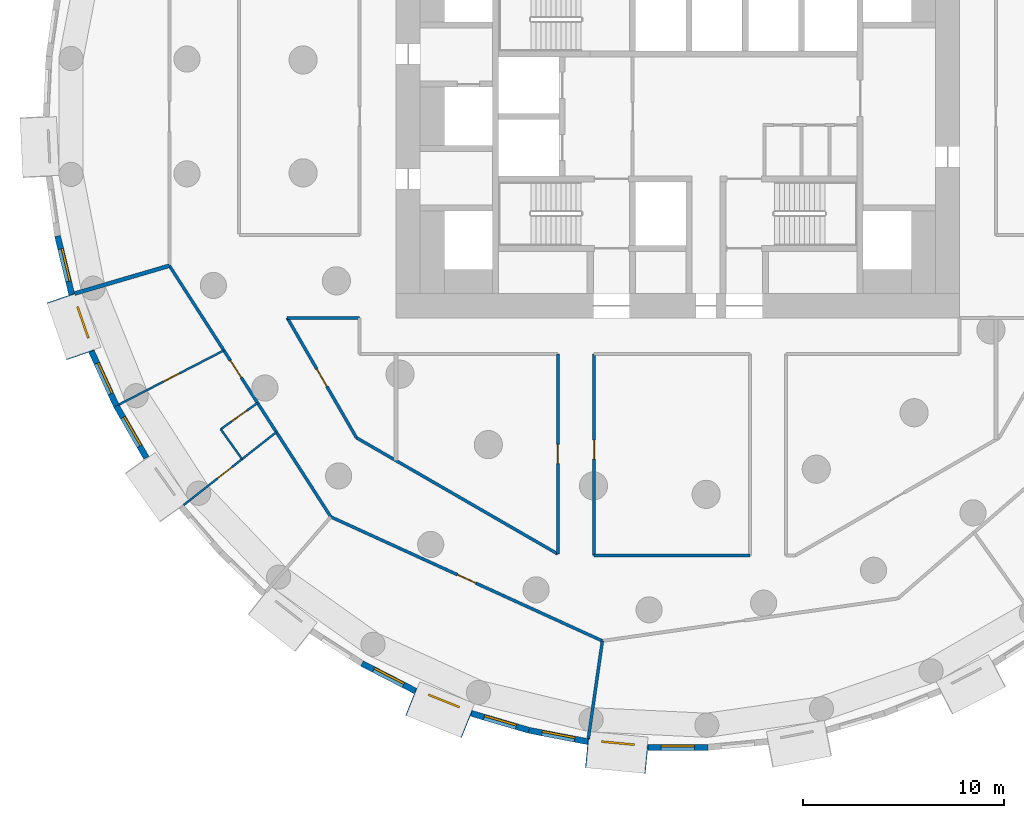
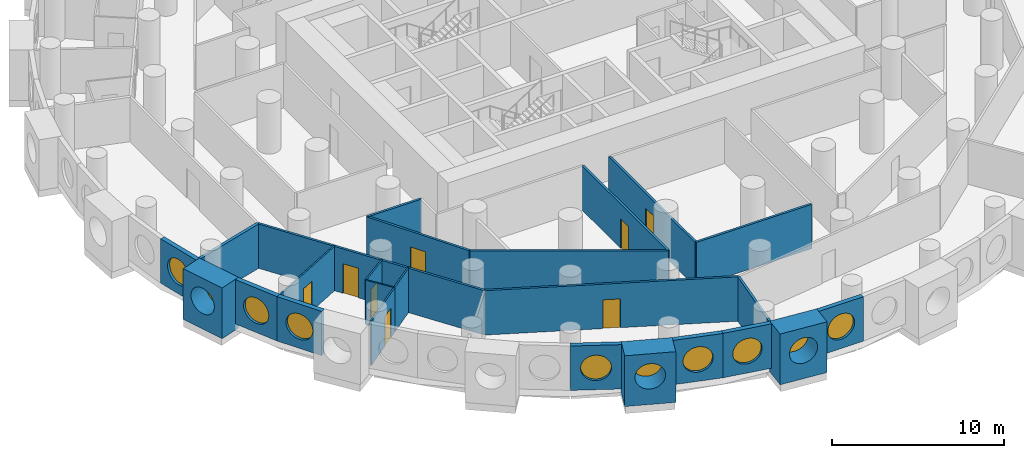
# One storey, part 3 of 12: 25 walls, 10 windows, 8 doors, 18 openings.
"""IFC4 building model written with IfcOpenShell, lengths in metres."""

from ifc_helpers import new_model, si_unit, direction, frame, frame_2d, origin, origin_2d, place, context, subcontext, project, spatial, rectangle, circle, extrude, material, layer, layer_set, type_object, element, fill, save


model = new_model("IFC4")

# Units and contexts
model_context = context("Model", 3, precision=1e-05, world=origin(), true_north=direction((0.0, 1.0)))
body_context = subcontext(model_context, "Body", "Model", "MODEL_VIEW")
ifc_project = project(units=[si_unit("LENGTHUNIT", "METRE"), si_unit("AREAUNIT", "SQUARE_METRE"), si_unit("VOLUMEUNIT", "CUBIC_METRE"), si_unit("PLANEANGLEUNIT", "RADIAN"), si_unit("MASSUNIT", "GRAM", prefix="KILO")], contexts=[model_context])

# Site, building, storey
site_placement = place(None, origin())
site = spatial("IfcSite", under=ifc_project, at=site_placement, CompositionType="ELEMENT")
building_placement = place(site_placement, origin())
building = spatial("IfcBuilding", under=site, at=building_placement, Name="Tracery Tower", CompositionType="ELEMENT")
storey_placement = place(building_placement, frame((0.0, 0.0, 82.199951171875)))
storey = spatial("IfcBuildingStorey", under=building, at=storey_placement, Name="L20", CompositionType="ELEMENT", Elevation=82.199951171875)

# Wall, opening, window
ifc_material_1 = material(Name="Precast concrete C50/60", Category="concrete")
ifc_layer_1 = layer(ifc_material_1, 1.449951171875)
ifc_layer_set_1 = layer_set([ifc_layer_1], Name="Deep-set bay unit 3000 x 3600, slab edge 450")
wall_type_1 = type_object("IfcWallType", Name="Deep-set bay unit 3000 x 3600, slab edge 450", PredefinedType="ELEMENTEDWALL", material=ifc_layer_set_1)
wall_1_placement = place(storey_placement, frame((-30.649169921875, -9.0205078125, -0.449951171875), z_axis=(0.0, 0.0, 1.0), x_axis=(0.327071431777, -0.944999618262, 0.0)))
wall_1 = element("IfcWall", 1, at=wall_1_placement, inside=storey, type_object=wall_type_1, Name="Deep-set bay unit 37 at L20", PredefinedType="ELEMENTEDWALL", context=body_context, shape_type="SweptSolid", body=[
    extrude(rectangle(XDim=3.0, YDim=1.449951171875, at=frame_2d((1.5, 0.0))), origin(), (0.0, 0.0, 1.0), 3.60009765625),
])
opening_1_placement = place(wall_1_placement, frame((1.5, 0.0, 2.0)))
opening_1 = element("IfcOpeningElement", 2, at=opening_1_placement, cuts=wall_1, Name="Opening WN1", PredefinedType="OPENING", context=body_context, shape_type="SweptSolid", body=[
    extrude(circle(Radius=0.9000244140625, at=origin_2d()), frame((0.0, 0.73486328125, 0.0), z_axis=(0.0, -1.0, 0.0), x_axis=(1.0, 0.0, 0.0)), (0.0, 0.0, 1.0), 1.469970703125),
])
ifc_material_2 = material(Name="Aluminium frame with tinted double glazing", Category="aluminium")
window_type = type_object("IfcWindowType", Name="Round window 1800", PartitioningType="SINGLE_PANEL", PredefinedType="WINDOW", material=ifc_material_2)
window_1_placement = place(opening_1_placement, origin())
window_1 = element("IfcWindow", 3, at=window_1_placement, inside=storey, type_object=window_type, Name="Round window 37 at L20", OverallHeight=1.800048828125, OverallWidth=1.800048828125, PartitioningType="SINGLE_PANEL", PredefinedType="WINDOW", context=body_context, shape_type="SweptSolid", body=[
    extrude(circle(Radius=0.9000244140625, at=origin_2d()), frame((0.0, 0.69482421875, 0.0), z_axis=(0.0, -1.0, 0.0), x_axis=(1.0, 0.0, 0.0)), (0.0, 0.0, 1.0), 0.10009765625),
])
fill(opening_1, window_1)

wall_2_placement = place(storey_placement, frame((-13.253662109375, -29.0703125, -0.449951171875), z_axis=(0.0, 0.0, 1.0), x_axis=(0.928358776184, -0.371685327504, 0.0)))
wall_2 = element("IfcWall", 4, at=wall_2_placement, inside=storey, type_object=wall_type_1, Name="Deep-set bay unit 46 at L20", PredefinedType="ELEMENTEDWALL", context=body_context, shape_type="SweptSolid", body=[
    extrude(rectangle(XDim=2.999755859375, YDim=1.449951171875, at=frame_2d((1.5, 0.0))), origin(), (0.0, 0.0, 1.0), 3.60009765625),
])
opening_2_placement = place(wall_2_placement, frame((1.5, 0.0, 2.0)))
opening_2 = element("IfcOpeningElement", 5, at=opening_2_placement, cuts=wall_2, Name="Opening WN1", PredefinedType="OPENING", context=body_context, shape_type="SweptSolid", body=[
    extrude(circle(Radius=0.9000244140625, at=origin_2d()), frame((0.0, 0.73486328125, 0.0), z_axis=(0.0, -1.0, 0.0), x_axis=(1.0, 0.0, 0.0)), (0.0, 0.0, 1.0), 1.469970703125),
])
window_2_placement = place(opening_2_placement, origin())
window_2 = element("IfcWindow", 6, at=window_2_placement, inside=storey, type_object=window_type, Name="Round window 46 at L20", OverallHeight=1.800048828125, OverallWidth=1.800048828125, PartitioningType="SINGLE_PANEL", PredefinedType="WINDOW", context=body_context, shape_type="SweptSolid", body=[
    extrude(circle(Radius=0.9000244140625, at=origin_2d()), frame((0.0, 0.69482421875, 0.0), z_axis=(0.0, -1.0, 0.0), x_axis=(1.0, 0.0, 0.0)), (0.0, 0.0, 1.0), 0.10009765625),
])
fill(opening_2, window_2)

wall_3_placement = place(storey_placement, frame((-4.52685546875, -31.626708984375, -0.449951171875), z_axis=(0.0, 0.0, 1.0), x_axis=(0.995472768558, -0.09504718333, 0.0)))
wall_3 = element("IfcWall", 7, at=wall_3_placement, inside=storey, type_object=wall_type_1, Name="Deep-set bay unit 49 at L20", PredefinedType="ELEMENTEDWALL", context=body_context, shape_type="SweptSolid", body=[
    extrude(rectangle(XDim=3.000244140625, YDim=1.449951171875, at=frame_2d((1.5, 0.0))), origin(), (0.0, 0.0, 1.0), 3.60009765625),
])
opening_3_placement = place(wall_3_placement, frame((1.5, 0.0, 2.0)))
opening_3 = element("IfcOpeningElement", 8, at=opening_3_placement, cuts=wall_3, Name="Opening WN1", PredefinedType="OPENING", context=body_context, shape_type="SweptSolid", body=[
    extrude(circle(Radius=0.9000244140625, at=origin_2d()), frame((0.0, 0.73486328125, 0.0), z_axis=(0.0, -1.0, 0.0), x_axis=(1.0, 0.0, 0.0)), (0.0, 0.0, 1.0), 1.469970703125),
])
window_3_placement = place(opening_3_placement, origin())
window_3 = element("IfcWindow", 9, at=window_3_placement, inside=storey, type_object=window_type, Name="Round window 49 at L20", OverallHeight=1.800048828125, OverallWidth=1.800048828125, PartitioningType="SINGLE_PANEL", PredefinedType="WINDOW", context=body_context, shape_type="SweptSolid", body=[
    extrude(circle(Radius=0.9000244140625, at=origin_2d()), frame((0.0, 0.69482421875, 0.0), z_axis=(0.0, -1.0, 0.0), x_axis=(1.0, 0.0, 0.0)), (0.0, 0.0, 1.0), 0.10009765625),
])
fill(opening_3, window_3)

ifc_material_3 = material(Name="Precast concrete C50/60", Category="concrete")
ifc_layer_2 = layer(ifc_material_3, 0.300048828125)
ifc_layer_set_2 = layer_set([ifc_layer_2], Name="Facade panel 3000 x 3150")
wall_type_2 = type_object("IfcWallType", Name="Facade panel 3000 x 3150", PredefinedType="SOLIDWALL", material=ifc_layer_set_2)
wall_4_placement = place(storey_placement, frame((-30.807373046875, -5.937744140625, 0.0), z_axis=(0.0, 0.0, 1.0), x_axis=(0.235743081534, -0.971815414319, 0.0)))
wall_4 = element("IfcWall", 10, at=wall_4_placement, inside=storey, type_object=wall_type_2, Name="Facade panel 36 at L20", PredefinedType="SOLIDWALL", context=body_context, shape_type="SweptSolid", body=[
    extrude(rectangle(XDim=2.9794921875, YDim=0.300048828125, at=frame_2d((1.48974609375, 0.0))), origin(), (0.0, 0.0, 1.0), 3.150146484375),
])
opening_4_placement = place(wall_4_placement, frame((1.48974609375, 0.0, 1.5498046875)))
opening_4 = element("IfcOpeningElement", 11, at=opening_4_placement, cuts=wall_4, Name="Opening WN1", PredefinedType="OPENING", context=body_context, shape_type="SweptSolid", body=[
    extrude(circle(Radius=0.9000244140625, at=origin_2d()), frame((0.0, 0.159912109375, 0.0), z_axis=(0.0, -1.0, 0.0), x_axis=(1.0, 0.0, 0.0)), (0.0, 0.0, 1.0), 0.320068359375),
])
window_4_placement = place(opening_4_placement, origin())
window_4 = element("IfcWindow", 12, at=window_4_placement, inside=storey, type_object=window_type, Name="Round window 36 at L20", OverallHeight=1.800048828125, OverallWidth=1.800048828125, PartitioningType="SINGLE_PANEL", PredefinedType="WINDOW", context=body_context, shape_type="SweptSolid", body=[
    extrude(circle(Radius=0.9000244140625, at=origin_2d()), frame((0.0, 0.1201171875, 0.0), z_axis=(0.0, -1.0, 0.0), x_axis=(1.0, 0.0, 0.0)), (0.0, 0.0, 1.0), 0.10009765625),
])
fill(opening_4, window_4)

wall_5_placement = place(storey_placement, frame((-29.12451171875, -11.666259765625, 0.0), z_axis=(0.0, 0.0, 1.0), x_axis=(0.415407317162, -0.909635509888, 0.0)))
wall_5 = element("IfcWall", 13, at=wall_5_placement, inside=storey, type_object=wall_type_2, Name="Facade panel 38 at L20", PredefinedType="SOLIDWALL", context=body_context, shape_type="SweptSolid", body=[
    extrude(rectangle(XDim=2.979736328125, YDim=0.300048828125, at=frame_2d((1.48974609375, 0.0))), origin(), (0.0, 0.0, 1.0), 3.150146484375),
])
opening_5_placement = place(wall_5_placement, frame((1.48974609375, 0.0, 1.5498046875)))
opening_5 = element("IfcOpeningElement", 14, at=opening_5_placement, cuts=wall_5, Name="Opening WN1", PredefinedType="OPENING", context=body_context, shape_type="SweptSolid", body=[
    extrude(circle(Radius=0.9000244140625, at=origin_2d()), frame((0.0, 0.159912109375, 0.0), z_axis=(0.0, -1.0, 0.0), x_axis=(1.0, 0.0, 0.0)), (0.0, 0.0, 1.0), 0.320068359375),
])
window_5_placement = place(opening_5_placement, origin())
window_5 = element("IfcWindow", 15, at=window_5_placement, inside=storey, type_object=window_type, Name="Round window 38 at L20", OverallHeight=1.800048828125, OverallWidth=1.800048828125, PartitioningType="SINGLE_PANEL", PredefinedType="WINDOW", context=body_context, shape_type="SweptSolid", body=[
    extrude(circle(Radius=0.9000244140625, at=origin_2d()), frame((0.0, 0.1201171875, 0.0), z_axis=(0.0, -1.0, 0.0), x_axis=(1.0, 0.0, 0.0)), (0.0, 0.0, 1.0), 0.10009765625),
])
fill(opening_5, window_5)

wall_6_placement = place(storey_placement, frame((-27.88671875, -14.376708984375, 0.0), z_axis=(0.0, 0.0, 1.0), x_axis=(0.499999078476, -0.866025935826, 0.0)))
wall_6 = element("IfcWall", 16, at=wall_6_placement, inside=storey, type_object=wall_type_2, Name="Facade panel 39 at L20", PredefinedType="SOLIDWALL", context=body_context, shape_type="SweptSolid", body=[
    extrude(rectangle(XDim=2.9794921875, YDim=0.300048828125, at=frame_2d((1.48974609375, 0.0))), origin(), (0.0, 0.0, 1.0), 3.150146484375),
])
opening_6_placement = place(wall_6_placement, frame((1.48974609375, 0.0, 1.5498046875)))
opening_6 = element("IfcOpeningElement", 17, at=opening_6_placement, cuts=wall_6, Name="Opening WN1", PredefinedType="OPENING", context=body_context, shape_type="SweptSolid", body=[
    extrude(circle(Radius=0.9000244140625, at=origin_2d()), frame((0.0, 0.159912109375, 0.0), z_axis=(0.0, -1.0, 0.0), x_axis=(1.0, 0.0, 0.0)), (0.0, 0.0, 1.0), 0.320068359375),
])
window_6_placement = place(opening_6_placement, origin())
window_6 = element("IfcWindow", 18, at=window_6_placement, inside=storey, type_object=window_type, Name="Round window 39 at L20", OverallHeight=1.800048828125, OverallWidth=1.800048828125, PartitioningType="SINGLE_PANEL", PredefinedType="WINDOW", context=body_context, shape_type="SweptSolid", body=[
    extrude(circle(Radius=0.9000244140625, at=origin_2d()), frame((0.0, 0.1201171875, 0.0), z_axis=(0.0, -1.0, 0.0), x_axis=(1.0, 0.0, 0.0)), (0.0, 0.0, 1.0), 0.10009765625),
])
fill(opening_6, window_6)

wall_7_placement = place(storey_placement, frame((-15.687255859375, -27.171142578125, 0.0), z_axis=(0.0, 0.0, 1.0), x_axis=(0.888853225096, -0.4581920386, 0.0)))
wall_7 = element("IfcWall", 19, at=wall_7_placement, inside=storey, type_object=wall_type_2, Name="Facade panel 45 at L20", PredefinedType="SOLIDWALL", context=body_context, shape_type="SweptSolid", body=[
    extrude(rectangle(XDim=2.9794921875, YDim=0.300048828125, at=frame_2d((1.48974609375, 0.0))), origin(), (0.0, 0.0, 1.0), 3.150146484375),
])
opening_7_placement = place(wall_7_placement, frame((1.48974609375, 0.0, 1.5498046875)))
opening_7 = element("IfcOpeningElement", 20, at=opening_7_placement, cuts=wall_7, Name="Opening WN1", PredefinedType="OPENING", context=body_context, shape_type="SweptSolid", body=[
    extrude(circle(Radius=0.9000244140625, at=origin_2d()), frame((0.0, 0.159912109375, 0.0), z_axis=(0.0, -1.0, 0.0), x_axis=(1.0, 0.0, 0.0)), (0.0, 0.0, 1.0), 0.320068359375),
])
window_7_placement = place(opening_7_placement, origin())
window_7 = element("IfcWindow", 21, at=window_7_placement, inside=storey, type_object=window_type, Name="Round window 45 at L20", OverallHeight=1.800048828125, OverallWidth=1.800048828125, PartitioningType="SINGLE_PANEL", PredefinedType="WINDOW", context=body_context, shape_type="SweptSolid", body=[
    extrude(circle(Radius=0.9000244140625, at=origin_2d()), frame((0.0, 0.1201171875, 0.0), z_axis=(0.0, -1.0, 0.0), x_axis=(1.0, 0.0, 0.0)), (0.0, 0.0, 1.0), 0.10009765625),
])
fill(opening_7, window_7)

wall_8_placement = place(storey_placement, frame((-10.255859375, -29.650634765625, 0.0), z_axis=(0.0, 0.0, 1.0), x_axis=(0.959507586834, -0.28168278401, 0.0)))
wall_8 = element("IfcWall", 22, at=wall_8_placement, inside=storey, type_object=wall_type_2, Name="Facade panel 47 at L20", PredefinedType="SOLIDWALL", context=body_context, shape_type="SweptSolid", body=[
    extrude(rectangle(XDim=2.979736328125, YDim=0.300048828125, at=frame_2d((1.48974609375, 0.0))), origin(), (0.0, 0.0, 1.0), 3.150146484375),
])
opening_8_placement = place(wall_8_placement, frame((1.48974609375, 0.0, 1.5498046875)))
opening_8 = element("IfcOpeningElement", 23, at=opening_8_placement, cuts=wall_8, Name="Opening WN1", PredefinedType="OPENING", context=body_context, shape_type="SweptSolid", body=[
    extrude(circle(Radius=0.9000244140625, at=origin_2d()), frame((0.0, 0.159912109375, 0.0), z_axis=(0.0, -1.0, 0.0), x_axis=(1.0, 0.0, 0.0)), (0.0, 0.0, 1.0), 0.320068359375),
])
window_8_placement = place(opening_8_placement, origin())
window_8 = element("IfcWindow", 24, at=window_8_placement, inside=storey, type_object=window_type, Name="Round window 47 at L20", OverallHeight=1.800048828125, OverallWidth=1.800048828125, PartitioningType="SINGLE_PANEL", PredefinedType="WINDOW", context=body_context, shape_type="SweptSolid", body=[
    extrude(circle(Radius=0.9000244140625, at=origin_2d()), frame((0.0, 0.1201171875, 0.0), z_axis=(0.0, -1.0, 0.0), x_axis=(1.0, 0.0, 0.0)), (0.0, 0.0, 1.0), 0.10009765625),
])
fill(opening_8, window_8)

wall_9_placement = place(storey_placement, frame((-7.396728515625, -30.489990234375, 0.0), z_axis=(0.0, 0.0, 1.0), x_axis=(0.981924535406, -0.189272836848, 0.0)))
wall_9 = element("IfcWall", 25, at=wall_9_placement, inside=storey, type_object=wall_type_2, Name="Facade panel 48 at L20", PredefinedType="SOLIDWALL", context=body_context, shape_type="SweptSolid", body=[
    extrude(rectangle(XDim=2.979736328125, YDim=0.300048828125, at=frame_2d((1.48974609375, 0.0))), origin(), (0.0, 0.0, 1.0), 3.150146484375),
])
opening_9_placement = place(wall_9_placement, frame((1.48974609375, 0.0, 1.5498046875)))
opening_9 = element("IfcOpeningElement", 26, at=opening_9_placement, cuts=wall_9, Name="Opening WN1", PredefinedType="OPENING", context=body_context, shape_type="SweptSolid", body=[
    extrude(circle(Radius=0.9000244140625, at=origin_2d()), frame((0.0, 0.159912109375, 0.0), z_axis=(0.0, -1.0, 0.0), x_axis=(1.0, 0.0, 0.0)), (0.0, 0.0, 1.0), 0.320068359375),
])
window_9_placement = place(opening_9_placement, origin())
window_9 = element("IfcWindow", 27, at=window_9_placement, inside=storey, type_object=window_type, Name="Round window 48 at L20", OverallHeight=1.800048828125, OverallWidth=1.800048828125, PartitioningType="SINGLE_PANEL", PredefinedType="WINDOW", context=body_context, shape_type="SweptSolid", body=[
    extrude(circle(Radius=0.9000244140625, at=origin_2d()), frame((0.0, 0.1201171875, 0.0), z_axis=(0.0, -1.0, 0.0), x_axis=(1.0, 0.0, 0.0)), (0.0, 0.0, 1.0), 0.10009765625),
])
fill(opening_9, window_9)

wall_10_placement = place(storey_placement, frame((-1.48681640625, -31.3388671875, 0.0), z_axis=(0.0, 0.0, 1.0), x_axis=(1.0, 0.0, 0.0)))
wall_10 = element("IfcWall", 28, at=wall_10_placement, inside=storey, type_object=wall_type_2, Name="Facade panel 50 at L20", PredefinedType="SOLIDWALL", context=body_context, shape_type="SweptSolid", body=[
    extrude(rectangle(XDim=2.979736328125, YDim=0.300048828125, at=frame_2d((1.48974609375, 0.0))), origin(), (0.0, 0.0, 1.0), 3.150146484375),
])
opening_10_placement = place(wall_10_placement, frame((1.48974609375, 0.0, 1.5498046875)))
opening_10 = element("IfcOpeningElement", 29, at=opening_10_placement, cuts=wall_10, Name="Opening WN1", PredefinedType="OPENING", context=body_context, shape_type="SweptSolid", body=[
    extrude(circle(Radius=0.9000244140625, at=origin_2d()), frame((0.0, 0.159912109375, 0.0), z_axis=(0.0, -1.0, 0.0), x_axis=(1.0, 0.0, 0.0)), (0.0, 0.0, 1.0), 0.320068359375),
])
window_10_placement = place(opening_10_placement, origin())
window_10 = element("IfcWindow", 30, at=window_10_placement, inside=storey, type_object=window_type, Name="Round window 50 at L20", OverallHeight=1.800048828125, OverallWidth=1.800048828125, PartitioningType="SINGLE_PANEL", PredefinedType="WINDOW", context=body_context, shape_type="SweptSolid", body=[
    extrude(circle(Radius=0.9000244140625, at=origin_2d()), frame((0.0, 0.1201171875, 0.0), z_axis=(0.0, -1.0, 0.0), x_axis=(1.0, 0.0, 0.0)), (0.0, 0.0, 1.0), 0.10009765625),
])
fill(opening_10, window_10)

# Wall, opening, door
ifc_material_4 = material(Name="Plasterboard on steel studs", Category="steel")
ifc_layer_3 = layer(ifc_material_4, 0.10009765625)
ifc_layer_set_3 = layer_set([ifc_layer_3], Name="Partition 100 stud")
wall_type_3 = type_object("IfcWallType", Name="Partition 100 stud", PredefinedType="PARTITIONING", material=ifc_layer_set_3)
wall_11_placement = place(storey_placement, frame((-27.7529296875, -14.30810546875, 0.0), z_axis=(0.0, 0.0, 1.0), x_axis=(0.88877955153, 0.45833493079, 0.0)))
wall_11 = element("IfcWall", 31, at=wall_11_placement, inside=storey, type_object=wall_type_3, Name="Stud partition RA6-092", PredefinedType="PARTITIONING", context=body_context, shape_type="SweptSolid", body=[
    extrude(rectangle(XDim=5.856201171875, YDim=0.10009765625, at=frame_2d((2.92822265625, 0.0))), origin(), (0.0, 0.0, 1.0), 3.150146484375),
])
opening_11_placement = place(wall_11_placement, frame((2.47802734375, 0.0, 0.0)))
opening_11 = element("IfcOpeningElement", 32, at=opening_11_placement, cuts=wall_11, Name="Opening RA6-36", PredefinedType="OPENING", context=body_context, shape_type="SweptSolid", body=[
    extrude(rectangle(XDim=0.89990234375, YDim=2.10009765625, at=frame_2d((0.449951171875, 1.050048828125))), frame((0.0, 0.050048828125, 0.0), z_axis=(0.0, -1.0, 0.0), x_axis=(1.0, 0.0, 0.0)), (0.0, 0.0, 1.0), 0.10009765625),
])
ifc_material_5 = material(Name="Timber door leaf", Category="wood")
door_type_1 = type_object("IfcDoorType", Name="Door bedroom 900", OperationType="NOTDEFINED", PredefinedType="DOOR", material=ifc_material_5)
door_1_placement = place(opening_11_placement, origin())
door_1 = element("IfcDoor", 33, at=door_1_placement, inside=storey, type_object=door_type_1, Name="Bedroom door RA6-36", OperationType="SINGLE_SWING_LEFT", OverallHeight=2.10009765625, OverallWidth=0.89990234375, PredefinedType="DOOR", context=body_context, shape_type="SweptSolid", body=[
    extrude(rectangle(XDim=0.89990234375, YDim=2.10009765625, at=frame_2d((0.449951171875, 1.050048828125))), frame((0.0, 0.02490234375, 0.0), z_axis=(0.0, -1.0, 0.0), x_axis=(1.0, 0.0, 0.0)), (0.0, 0.0, 1.0), 0.050048828125),
])
fill(opening_11, door_1)

wall_12_placement = place(storey_placement, frame((-24.5439453125, -19.302001953125, 0.0), z_axis=(0.0, 0.0, 1.0), x_axis=(0.785987576403, 0.618242290481, 0.0)))
wall_12 = element("IfcWall", 34, at=wall_12_placement, inside=storey, type_object=wall_type_3, Name="Stud partition RA6-093", PredefinedType="PARTITIONING", context=body_context, shape_type="SweptSolid", body=[
    extrude(rectangle(XDim=3.689453125, YDim=0.10009765625, at=frame_2d((1.8447265625, 0.0))), origin(), (0.0, 0.0, 1.0), 3.150146484375),
])
opening_12_placement = place(wall_12_placement, frame((2.14453125, 0.0, 0.0)))
opening_12 = element("IfcOpeningElement", 35, at=opening_12_placement, cuts=wall_12, Name="Opening RA6-37", PredefinedType="OPENING", context=body_context, shape_type="SweptSolid", body=[
    extrude(rectangle(XDim=0.89990234375, YDim=2.10009765625, at=frame_2d((0.449951171875, 1.050048828125))), frame((0.0, 0.050048828125, 0.0), z_axis=(0.0, -1.0, 0.0), x_axis=(1.0, 0.0, 0.0)), (0.0, 0.0, 1.0), 0.10009765625),
])
door_2_placement = place(opening_12_placement, origin())
door_2 = element("IfcDoor", 36, at=door_2_placement, inside=storey, type_object=door_type_1, Name="Bedroom door RA6-37", OperationType="SINGLE_SWING_LEFT", OverallHeight=2.10009765625, OverallWidth=0.89990234375, PredefinedType="DOOR", context=body_context, shape_type="SweptSolid", body=[
    extrude(rectangle(XDim=0.89990234375, YDim=2.10009765625, at=frame_2d((0.449951171875, 1.050048828125))), frame((0.0, 0.02490234375, 0.0), z_axis=(0.0, -1.0, 0.0), x_axis=(1.0, 0.0, 0.0)), (0.0, 0.0, 1.0), 0.050048828125),
])
fill(opening_12, door_2)

ifc_material_6 = material(Name="Plasterboard on steel studs", Category="steel")
ifc_layer_4 = layer(ifc_material_6, 0.10009765625)
ifc_layer_set_4 = layer_set([ifc_layer_4], Name="Partition 100 wet wall")
wall_type_4 = type_object("IfcWallType", Name="Partition 100 wet wall", PredefinedType="PARTITIONING", material=ifc_layer_set_4)
wall_13_placement = place(storey_placement, frame((-22.702880859375, -15.534912109375, 0.0), z_axis=(0.0, 0.0, 1.0), x_axis=(0.814525331415, 0.580127989743, 0.0)))
wall_13 = element("IfcWall", 37, at=wall_13_placement, inside=storey, type_object=wall_type_4, Name="Wet wall RA6-094", PredefinedType="PARTITIONING", context=body_context, shape_type="SweptSolid", body=[
    extrude(rectangle(XDim=2.247802734375, YDim=0.10009765625, at=frame_2d((1.1240234375, 0.0))), origin(), (0.0, 0.0, 1.0), 3.150146484375),
])
opening_13_placement = place(wall_13_placement, frame((0.673828125, 0.0, 0.0)))
opening_13 = element("IfcOpeningElement", 38, at=opening_13_placement, cuts=wall_13, Name="Opening RA6-38", PredefinedType="OPENING", context=body_context, shape_type="SweptSolid", body=[
    extrude(rectangle(XDim=0.89990234375, YDim=2.0, at=frame_2d((0.449951171875, 1.0))), frame((0.0, 0.050048828125, 0.0), z_axis=(0.0, -1.0, 0.0), x_axis=(1.0, 0.0, 0.0)), (0.0, 0.0, 1.0), 0.10009765625),
])
ifc_material_7 = material(Name="Timber door leaf", Category="wood")
door_type_2 = type_object("IfcDoorType", Name="Door shower room 900", OperationType="NOTDEFINED", PredefinedType="DOOR", material=ifc_material_7)
door_3_placement = place(opening_13_placement, origin())
door_3 = element("IfcDoor", 39, at=door_3_placement, inside=storey, type_object=door_type_2, Name="Shower room door RA6-38", OperationType="SINGLE_SWING_RIGHT", OverallHeight=2.0, OverallWidth=0.89990234375, PredefinedType="DOOR", context=body_context, shape_type="SweptSolid", body=[
    extrude(rectangle(XDim=0.89990234375, YDim=2.0, at=frame_2d((0.449951171875, 1.0))), frame((0.0, 0.02490234375, 0.0), z_axis=(0.0, -1.0, 0.0), x_axis=(1.0, 0.0, 0.0)), (0.0, 0.0, 1.0), 0.050048828125),
])
fill(opening_13, door_3)

# Walls
wall_14_placement = place(storey_placement, frame((-22.702880859375, -15.534912109375, 0.0), z_axis=(0.0, 0.0, 1.0), x_axis=(0.580275898497, -0.814419966371, 0.0)))
element("IfcWall", 40, at=wall_14_placement, inside=storey, type_object=wall_type_4, Name="Wet wall RA6-095", PredefinedType="PARTITIONING", context=body_context, shape_type="SweptSolid", body=[
    extrude(rectangle(XDim=1.82470703125, YDim=0.10009765625, at=frame_2d((0.912353515625, 0.0))), origin(), (0.0, 0.0, 1.0), 3.150146484375),
])
wall_15_placement = place(storey_placement, frame((-21.64697265625, -17.02294921875, 0.0), z_axis=(0.0, 0.0, 1.0), x_axis=(0.786138836794, 0.618049940769, 0.0)))
element("IfcWall", 41, at=wall_15_placement, inside=storey, type_object=wall_type_4, Name="Wet wall RA6-096", PredefinedType="PARTITIONING", context=body_context, shape_type="SweptSolid", body=[
    extrude(rectangle(XDim=2.17138671875, YDim=0.10009765625, at=frame_2d((1.085693359375, 0.0))), origin(), (0.0, 0.0, 1.0), 3.150146484375),
])
ifc_material_8 = material(Name="Plasterboard on steel studs", Category="steel")
ifc_layer_5 = layer(ifc_material_8, 0.14990234375)
ifc_layer_set_5 = layer_set([ifc_layer_5], Name="Partition 150 acoustic unit wall")
wall_type_5 = type_object("IfcWallType", Name="Partition 150 acoustic unit wall", PredefinedType="PARTITIONING", material=ifc_layer_set_5)
wall_16_placement = place(storey_placement, frame((-4.444091796875, -30.906005859375, 0.0), z_axis=(0.0, 0.0, 1.0), x_axis=(0.142306296561, 0.989822669956, 0.0)))
element("IfcWall", 42, at=wall_16_placement, inside=storey, type_object=wall_type_5, Name="Unit wall RA6-098", PredefinedType="PARTITIONING", context=body_context, shape_type="SweptSolid", body=[
    extrude(rectangle(XDim=4.90478515625, YDim=0.14990234375, at=frame_2d((2.452392578125, 0.0))), origin(), (0.0, 0.0, 1.0), 3.150146484375),
])
ifc_material_9 = material(Name="Plasterboard on steel studs", Category="steel")
ifc_layer_6 = layer(ifc_material_9, 0.14990234375)
ifc_layer_set_6 = layer_set([ifc_layer_6], Name="Partition 150 corridor wall")
wall_type_6 = type_object("IfcWallType", Name="Partition 150 corridor wall", PredefinedType="PARTITIONING", material=ifc_layer_set_6)
wall_17_placement = place(storey_placement, frame((-19.40087890625, -10.0, 0.0), z_axis=(0.0, 0.0, 1.0), x_axis=(1.0, 0.0, 0.0)))
element("IfcWall", 43, at=wall_17_placement, inside=storey, type_object=wall_type_6, Name="Corridor wall RA6-038", PredefinedType="PARTITIONING", context=body_context, shape_type="SweptSolid", body=[
    extrude(rectangle(XDim=3.600830078125, YDim=0.14990234375, at=frame_2d((1.80029296875, 0.0))), origin(), (0.0, 0.0, 1.0), 3.150146484375),
])

# Wall, opening, door
wall_18_placement = place(storey_placement, frame((-19.40087890625, -10.0, 0.0), z_axis=(0.0, 0.0, 1.0), x_axis=(0.499992689227, -0.86602962462, 0.0)))
wall_18 = element("IfcWall", 44, at=wall_18_placement, inside=storey, type_object=wall_type_6, Name="Corridor wall RA6-039", PredefinedType="PARTITIONING", context=body_context, shape_type="SweptSolid", body=[
    extrude(rectangle(XDim=6.8818359375, YDim=0.14990234375, at=frame_2d((3.44091796875, 0.0))), origin(), (0.0, 0.0, 1.0), 3.150146484375),
])
opening_14_placement = place(wall_18_placement, frame((2.94091796875, 0.0, 0.0)))
opening_14 = element("IfcOpeningElement", 45, at=opening_14_placement, cuts=wall_18, Name="Opening RA6-10", PredefinedType="OPENING", context=body_context, shape_type="SweptSolid", body=[
    extrude(rectangle(XDim=1.0, YDim=2.0400390625, at=frame_2d((0.5, 1.02001953125))), frame((0.0, 0.074951171875, 0.0), z_axis=(0.0, -1.0, 0.0), x_axis=(1.0, 0.0, 0.0)), (0.0, 0.0, 1.0), 0.14990234375),
])
ifc_material_10 = material(Name="Timber door leaf", Category="wood")
door_type_3 = type_object("IfcDoorType", Name="Door communal room 1000", OperationType="NOTDEFINED", PredefinedType="DOOR", material=ifc_material_10)
door_4_placement = place(opening_14_placement, origin())
door_4 = element("IfcDoor", 46, at=door_4_placement, inside=storey, type_object=door_type_3, Name="Communal room door RA6-10", OperationType="SINGLE_SWING_LEFT", OverallHeight=2.0400390625, OverallWidth=1.0, PredefinedType="DOOR", context=body_context, shape_type="SweptSolid", body=[
    extrude(rectangle(XDim=1.0, YDim=2.0400390625, at=frame_2d((0.5, 1.02001953125))), frame((0.0, 0.02490234375, 0.0), z_axis=(0.0, -1.0, 0.0), x_axis=(1.0, 0.0, 0.0)), (0.0, 0.0, 1.0), 0.050048828125),
])
fill(opening_14, door_4)

wall_19_placement = place(storey_placement, frame((-25.252685546875, -7.414794921875, 0.0), z_axis=(0.0, 0.0, 1.0), x_axis=(0.540667724156, -0.841236240337, 0.0)))
wall_19 = element("IfcWall", 47, at=wall_19_placement, inside=storey, type_object=wall_type_6, Name="Corridor wall RA6-043", PredefinedType="PARTITIONING", context=body_context, shape_type="SweptSolid", body=[
    extrude(rectangle(XDim=14.82958984375, YDim=0.14990234375, at=frame_2d((7.414794921875, 0.0))), origin(), (0.0, 0.0, 1.0), 3.150146484375),
])
opening_15_placement = place(wall_19_placement, frame((5.60205078125, 0.0, 0.0)))
opening_15 = element("IfcOpeningElement", 48, at=opening_15_placement, cuts=wall_19, Name="Opening RA6-39", PredefinedType="OPENING", context=body_context, shape_type="SweptSolid", body=[
    extrude(rectangle(XDim=1.0, YDim=2.10009765625, at=frame_2d((0.5, 1.050048828125))), frame((0.0, 0.074951171875, 0.0), z_axis=(0.0, -1.0, 0.0), x_axis=(1.0, 0.0, 0.0)), (0.0, 0.0, 1.0), 0.14990234375),
])
ifc_material_11 = material(Name="Timber door leaf", Category="wood")
door_type_4 = type_object("IfcDoorType", Name="Door unit entrance 1000", OperationType="NOTDEFINED", PredefinedType="DOOR", material=ifc_material_11)
door_5_placement = place(opening_15_placement, origin())
door_5 = element("IfcDoor", 49, at=door_5_placement, inside=storey, type_object=door_type_4, Name="Unit entrance door RA6-39", OperationType="SINGLE_SWING_RIGHT", OverallHeight=2.10009765625, OverallWidth=1.0, PredefinedType="DOOR", context=body_context, shape_type="SweptSolid", body=[
    extrude(rectangle(XDim=1.0, YDim=2.10009765625, at=frame_2d((0.5, 1.050048828125))), frame((0.0, 0.02490234375, 0.0), z_axis=(0.0, -1.0, 0.0), x_axis=(1.0, 0.0, 0.0)), (0.0, 0.0, 1.0), 0.050048828125),
])
fill(opening_15, door_5)

# Wall
wall_20_placement = place(storey_placement, frame((-15.960205078125, -15.960205078125, 0.0), z_axis=(0.0, 0.0, 1.0), x_axis=(0.86602397904, -0.500002467721, 0.0)))
element("IfcWall", 50, at=wall_20_placement, inside=storey, type_object=wall_type_6, Name="Corridor wall RA6-044", PredefinedType="PARTITIONING", context=body_context, shape_type="SweptSolid", body=[
    extrude(rectangle(XDim=11.54736328125, YDim=0.14990234375, at=frame_2d((5.773681640625, 0.0))), origin(), (0.0, 0.0, 1.0), 3.150146484375),
])

# Wall, opening, door
wall_21_placement = place(storey_placement, frame((-5.9599609375, -21.73388671875, 0.0), z_axis=(0.0, 0.0, 1.0), x_axis=(0.0, 1.0, 0.0)))
wall_21 = element("IfcWall", 51, at=wall_21_placement, inside=storey, type_object=wall_type_6, Name="Corridor wall RA6-045", PredefinedType="PARTITIONING", context=body_context, shape_type="SweptSolid", body=[
    extrude(rectangle(XDim=9.933837890625, YDim=0.14990234375, at=frame_2d((4.966796875, 0.0))), origin(), (0.0, 0.0, 1.0), 3.150146484375),
])
opening_16_placement = place(wall_21_placement, frame((4.491943359375, 0.0, 0.0)))
opening_16 = element("IfcOpeningElement", 52, at=opening_16_placement, cuts=wall_21, Name="Opening RA6-04", PredefinedType="OPENING", context=body_context, shape_type="SweptSolid", body=[
    extrude(rectangle(XDim=0.949951171875, YDim=2.10009765625, at=frame_2d((0.47509765625, 1.050048828125))), frame((0.0, 0.074951171875, 0.0), z_axis=(0.0, -1.0, 0.0), x_axis=(1.0, 0.0, 0.0)), (0.0, 0.0, 1.0), 0.14990234375),
])
ifc_material_12 = material(Name="Timber door leaf", Category="wood")
door_type_5 = type_object("IfcDoorType", Name="Door store 950", OperationType="NOTDEFINED", PredefinedType="DOOR", material=ifc_material_12)
door_6_placement = place(opening_16_placement, origin())
door_6 = element("IfcDoor", 53, at=door_6_placement, inside=storey, type_object=door_type_5, Name="Store door RA6-04", OperationType="SINGLE_SWING_LEFT", OverallHeight=2.10009765625, OverallWidth=0.949951171875, PredefinedType="DOOR", context=body_context, shape_type="SweptSolid", body=[
    extrude(rectangle(XDim=0.949951171875, YDim=2.10009765625, at=frame_2d((0.47509765625, 1.050048828125))), frame((0.0, 0.02490234375, 0.0), z_axis=(0.0, -1.0, 0.0), x_axis=(1.0, 0.0, 0.0)), (0.0, 0.0, 1.0), 0.050048828125),
])
fill(opening_16, door_6)

wall_22_placement = place(storey_placement, frame((-4.159912109375, -21.802001953125, 0.0), z_axis=(0.0, 0.0, 1.0), x_axis=(0.0, 1.0, 0.0)))
wall_22 = element("IfcWall", 54, at=wall_22_placement, inside=storey, type_object=wall_type_6, Name="Corridor wall RA6-046", PredefinedType="PARTITIONING", context=body_context, shape_type="SweptSolid", body=[
    extrude(rectangle(XDim=10.001953125, YDim=0.14990234375, at=frame_2d((5.0009765625, 0.0))), origin(), (0.0, 0.0, 1.0), 3.150146484375),
])
opening_17_placement = place(wall_22_placement, frame((4.77587890625, 0.0, 0.0)))
opening_17 = element("IfcOpeningElement", 55, at=opening_17_placement, cuts=wall_22, Name="Opening RA6-05", PredefinedType="OPENING", context=body_context, shape_type="SweptSolid", body=[
    extrude(rectangle(XDim=0.949951171875, YDim=2.10009765625, at=frame_2d((0.47509765625, 1.050048828125))), frame((0.0, 0.074951171875, 0.0), z_axis=(0.0, -1.0, 0.0), x_axis=(1.0, 0.0, 0.0)), (0.0, 0.0, 1.0), 0.14990234375),
])
door_7_placement = place(opening_17_placement, origin())
door_7 = element("IfcDoor", 56, at=door_7_placement, inside=storey, type_object=door_type_5, Name="Store door RA6-05", OperationType="SINGLE_SWING_LEFT", OverallHeight=2.10009765625, OverallWidth=0.949951171875, PredefinedType="DOOR", context=body_context, shape_type="SweptSolid", body=[
    extrude(rectangle(XDim=0.949951171875, YDim=2.10009765625, at=frame_2d((0.47509765625, 1.050048828125))), frame((0.0, 0.02490234375, 0.0), z_axis=(0.0, -1.0, 0.0), x_axis=(1.0, 0.0, 0.0)), (0.0, 0.0, 1.0), 0.050048828125),
])
fill(opening_17, door_7)

# Wall
wall_23_placement = place(storey_placement, frame((-4.159912109375, -21.802001953125, 0.0), z_axis=(0.0, 0.0, 1.0), x_axis=(1.0, 0.0, 0.0)))
element("IfcWall", 57, at=wall_23_placement, inside=storey, type_object=wall_type_6, Name="Corridor wall RA6-047", PredefinedType="PARTITIONING", context=body_context, shape_type="SweptSolid", body=[
    extrude(rectangle(XDim=7.73583984375, YDim=0.14990234375, at=frame_2d((3.867919921875, 0.0))), origin(), (0.0, 0.0, 1.0), 3.150146484375),
])

# Wall, opening, door
wall_24_placement = place(storey_placement, frame((-17.235107421875, -19.889892578125, 0.0), z_axis=(0.0, 0.0, 1.0), x_axis=(0.90960889055, -0.415465601743, 0.0)))
wall_24 = element("IfcWall", 58, at=wall_24_placement, inside=storey, type_object=wall_type_6, Name="Corridor wall RA6-052", PredefinedType="PARTITIONING", context=body_context, shape_type="SweptSolid", body=[
    extrude(rectangle(XDim=14.829345703125, YDim=0.14990234375, at=frame_2d((7.41455078125, 0.0))), origin(), (0.0, 0.0, 1.0), 3.150146484375),
])
opening_18_placement = place(wall_24_placement, frame((6.914306640625, 0.0, 0.0)))
opening_18 = element("IfcOpeningElement", 59, at=opening_18_placement, cuts=wall_24, Name="Opening RA6-40", PredefinedType="OPENING", context=body_context, shape_type="SweptSolid", body=[
    extrude(rectangle(XDim=1.0, YDim=2.0400390625, at=frame_2d((0.5, 1.02001953125))), frame((0.0, 0.074951171875, 0.0), z_axis=(0.0, -1.0, 0.0), x_axis=(1.0, 0.0, 0.0)), (0.0, 0.0, 1.0), 0.14990234375),
])
door_8_placement = place(opening_18_placement, origin())
door_8 = element("IfcDoor", 60, at=door_8_placement, inside=storey, type_object=door_type_3, Name="Communal room door RA6-40", OperationType="SINGLE_SWING_RIGHT", OverallHeight=2.0400390625, OverallWidth=1.0, PredefinedType="DOOR", context=body_context, shape_type="SweptSolid", body=[
    extrude(rectangle(XDim=1.0, YDim=2.0400390625, at=frame_2d((0.5, 1.02001953125))), frame((0.0, 0.02490234375, 0.0), z_axis=(0.0, -1.0, 0.0), x_axis=(1.0, 0.0, 0.0)), (0.0, 0.0, 1.0), 0.050048828125),
])
fill(opening_18, door_8)

# Wall
ifc_material_13 = material(Name="Plasterboard on steel studs", Category="steel")
ifc_layer_7 = layer(ifc_material_13, 0.199951171875)
ifc_layer_set_7 = layer_set([ifc_layer_7], Name="Partition 200 compartment wall")
wall_type_7 = type_object("IfcWallType", Name="Partition 200 compartment wall", PredefinedType="PARTITIONING", material=ifc_layer_set_7)
wall_25_placement = place(storey_placement, frame((-29.958984375, -8.797119140625, 0.0), z_axis=(0.0, 0.0, 1.0), x_axis=(0.959478767209, 0.281780934902, 0.0)))
element("IfcWall", 61, at=wall_25_placement, inside=storey, type_object=wall_type_7, Name="Compartment wall RA6-091", PredefinedType="PARTITIONING", context=body_context, shape_type="SweptSolid", body=[
    extrude(rectangle(XDim=4.90478515625, YDim=0.199951171875, at=frame_2d((2.452392578125, 0.0))), origin(), (0.0, 0.0, 1.0), 3.150146484375),
])

save(model, "model.ifc")
